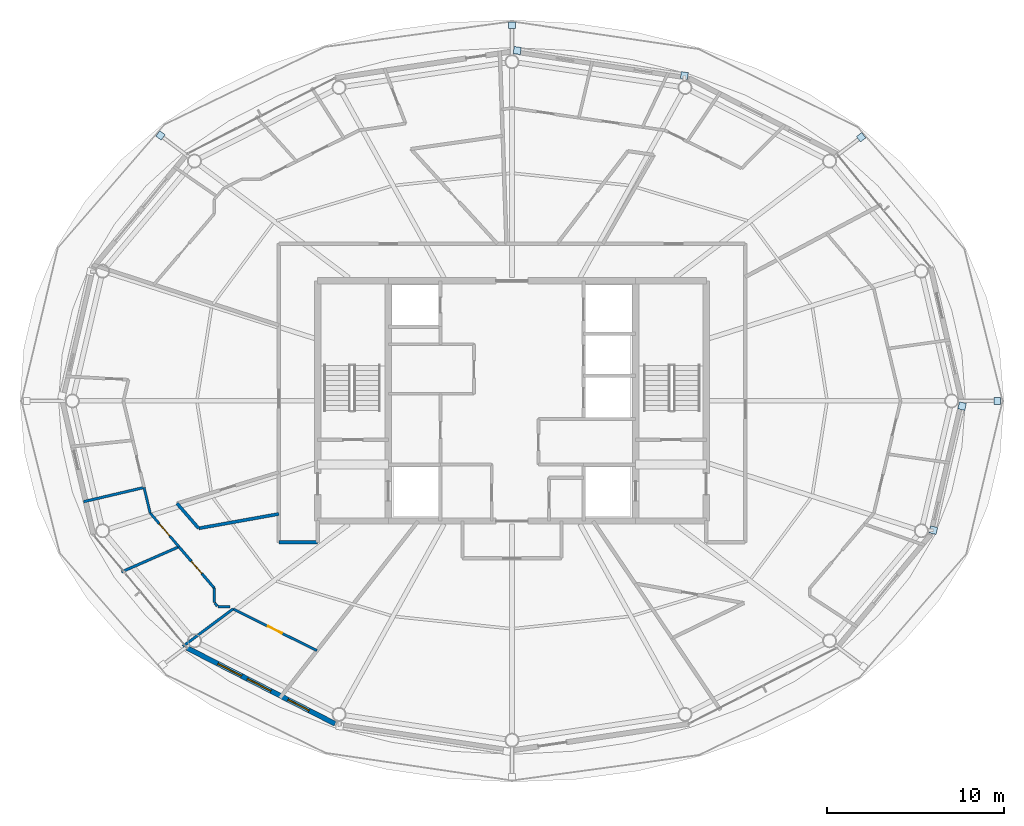
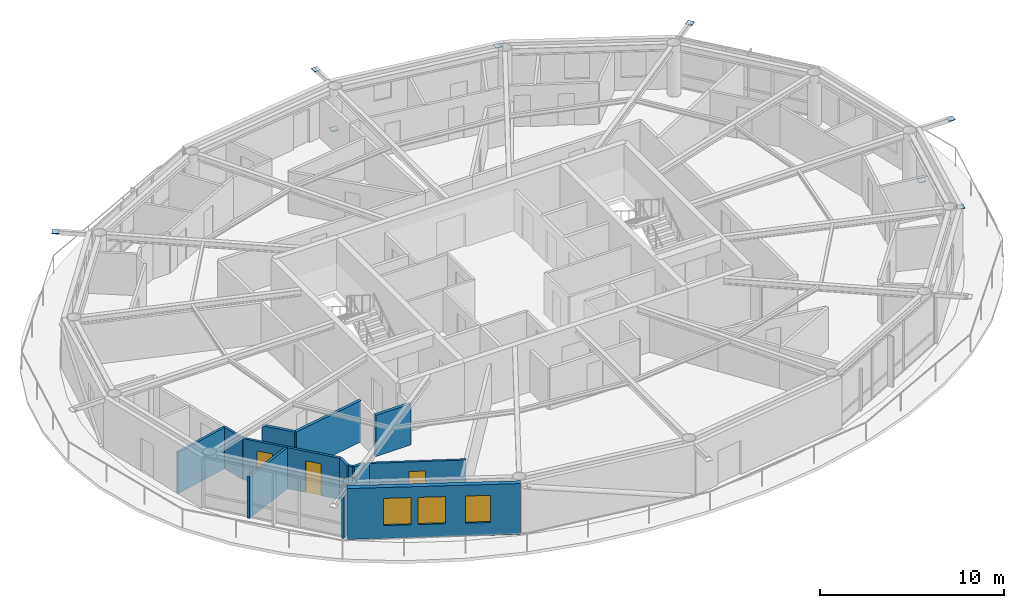
# One storey, part 15 of 22: 14 walls, 8 plates, 3 doors, 3 windows, 6 openings.
"""IFC4 building model written with IfcOpenShell, lengths in metres."""

from ifc_helpers import new_model, si_unit, direction, frame, frame_2d, origin, origin_2d, place, context, subcontext, project, spatial, rectangle, extrude, material, layer, layer_set, type_object, element, fill, save


model = new_model("IFC4")

# Units and contexts
model_context = context("Model", 3, precision=1e-05, world=origin(), true_north=direction((0.0, 1.0)))
body_context = subcontext(model_context, "Body", "Model", "MODEL_VIEW")
ifc_project = project(units=[si_unit("LENGTHUNIT", "METRE"), si_unit("AREAUNIT", "SQUARE_METRE"), si_unit("VOLUMEUNIT", "CUBIC_METRE"), si_unit("PLANEANGLEUNIT", "RADIAN"), si_unit("MASSUNIT", "GRAM", prefix="KILO")], contexts=[model_context])

# Site, building, storey
site_placement = place(None, origin())
site = spatial("IfcSite", under=ifc_project, at=site_placement, CompositionType="ELEMENT")
building_placement = place(site_placement, origin())
building = spatial("IfcBuilding", under=site, at=building_placement, Name="Sarneth Arch Tower", CompositionType="ELEMENT")
storey_placement = place(building_placement, frame((0.0, 0.0, 283.800048828125)))
storey = spatial("IfcBuildingStorey", under=building, at=storey_placement, Name="L73", CompositionType="ELEMENT", Elevation=283.800048828125)

# Plates
ifc_material_1 = material(Name="Steel S355", Category="steel")
ifc_layer_1 = layer(ifc_material_1, 0.035888671875)
ifc_layer_set_1 = layer_set([ifc_layer_1], Name="Steel S355")
plate_type = type_object("IfcPlateType", Name="PLT-GUSSET-30", PredefinedType="SHEET", material=ifc_layer_set_1)
for number, where, z_axis, x_axis, name in (
    (1, (75.4697265625, 42.0, 3.19189453125), (0.0, 0.0, 1.0), (1.0, 0.0, 0.0), "Steel end cap plate GP-1"),
    (2, (67.7626953125, 56.926513671875, 3.19189453125), (0.0, 0.0, 1.0), (0.798004853043, 0.602651022168, 0.0), "Steel end cap plate GP-1"),
):
    element("IfcPlate", number, at=place(storey_placement, frame(where, z_axis=z_axis, x_axis=x_axis)), inside=storey, type_object=plate_type, Name=name, PredefinedType="SHEET", context=body_context, shape_type="SweptSolid", body=[
        extrude(rectangle(XDim=0.3798828125, YDim=0.3798828125, at=origin_2d()), origin(), (0.0, 0.0, 1.0), 0.035888671875),
    ])
for number, where, z_axis, x_axis, name in (
    (3, (48.296630859375, 61.83544921875, 0.001953125), (0.0, 0.0, 1.0), (-0.988860535448, 0.148845024885, 0.0), "Steel end cap plate GP-1"),
    (4, (57.754150390625, 60.411376953125, 3.07421875), (0.0, 0.0, 1.0), (-0.988860535448, 0.148845024885, 0.0), "Steel end cap plate GP-1"),
):
    element("IfcPlate", number, at=place(storey_placement, frame(where, z_axis=z_axis, x_axis=x_axis)), inside=storey, type_object=plate_type, Name=name, PredefinedType="SHEET", context=body_context, shape_type="SweptSolid", body=[
        extrude(rectangle(XDim=0.404052734375, YDim=0.404052734375, at=origin_2d()), origin(), (0.0, 0.0, 1.0), 0.035888671875),
    ])
for number, where, z_axis, x_axis, name in (
    (5, (48.0, 63.263427734375, 3.19189453125), (0.0, 0.0, 1.0), (0.0, 1.0, 0.0), "Steel end cap plate GP-1"),
    (6, (28.101806640625, 57.029052734375, 3.19189453125), (0.0, 0.0, 1.0), (-0.798004853043, 0.602651022168, 0.0), "Steel end cap plate GP-1"),
):
    element("IfcPlate", number, at=place(storey_placement, frame(where, z_axis=z_axis, x_axis=x_axis)), inside=storey, type_object=plate_type, Name=name, PredefinedType="SHEET", context=body_context, shape_type="SweptSolid", body=[
        extrude(rectangle(XDim=0.3798828125, YDim=0.3798828125, at=origin_2d()), origin(), (0.0, 0.0, 1.0), 0.035888671875),
    ])
for number, where, z_axis, x_axis, name in (
    (7, (73.4765625, 41.707763671875, 0.001953125), (0.0, 0.0, 1.0), (0.225461202458, 0.974252147129, 0.0), "Steel end cap plate GP-1"),
    (8, (71.851806640625, 34.6845703125, 3.07421875), (0.0, 0.0, 1.0), (0.225461202458, 0.974252147129, 0.0), "Steel end cap plate GP-1"),
):
    element("IfcPlate", number, at=place(storey_placement, frame(where, z_axis=z_axis, x_axis=x_axis)), inside=storey, type_object=plate_type, Name=name, PredefinedType="SHEET", context=body_context, shape_type="SweptSolid", body=[
        extrude(rectangle(XDim=0.404052734375, YDim=0.404052734375, at=origin_2d()), origin(), (0.0, 0.0, 1.0), 0.035888671875),
    ])

# Wall
ifc_material_2 = material(Name="Double steel-stud corridor fire wall", Category="steel")
ifc_layer_2 = layer(ifc_material_2, 0.18994140625)
ifc_layer_set_2 = layer_set([ifc_layer_2], Name="Double steel-stud corridor fire wall")
wall_type_1 = type_object("IfcWallType", Name="WALL-CORR-190", PredefinedType="PARTITIONING", material=ifc_layer_set_2)
wall_1_placement = place(storey_placement, frame((37.0, 34.0, 0.0), z_axis=(0.0, 0.0, 1.0), x_axis=(-1.0, 0.0, 0.0)))
element("IfcWall", 9, at=wall_1_placement, inside=storey, type_object=wall_type_1, Name="L73 Interior partition W-L73-TP-009", PredefinedType="PARTITIONING", context=body_context, shape_type="SweptSolid", body=[
    extrude(rectangle(XDim=2.199951171875, YDim=0.18994140625, at=frame_2d((1.10009765625, 0.0))), origin(), (0.0, 0.0, 1.0), 2.72998046875),
])

# Wall, openings, windows
ifc_material_3 = material(Name="Extruded terracotta rainscreen on Concrete C40/50 backing", Category="masonry")
ifc_layer_3 = layer(ifc_material_3, 0.280029296875)
ifc_layer_set_3 = layer_set([ifc_layer_3], Name="Extruded terracotta rainscreen on Concrete C40/50 backing")
wall_type_2 = type_object("IfcWallType", Name="WALL-EXT-TERRA-280", PredefinedType="SOLIDWALL", material=ifc_layer_set_3)
wall_2_placement = place(storey_placement, frame((29.617431640625, 28.013427734375, 0.0), z_axis=(0.0, 0.0, 1.0), x_axis=(0.890007394051, -0.455946091699, 0.0)))
wall_2 = element("IfcWall", 10, at=wall_2_placement, inside=storey, type_object=wall_type_2, Name="L73 Terracotta perimeter wall 11", PredefinedType="SOLIDWALL", context=body_context, shape_type="SweptSolid", body=[
    extrude(rectangle(XDim=9.404296875, YDim=0.280029296875, at=frame_2d((4.7021484375, 0.0))), origin(), (0.0, 0.0, 1.0), 3.369873046875),
])
opening_1_placement = place(wall_2_placement, frame((1.95361328125, 0.0, 0.85009765625)))
opening_1 = element("IfcOpeningElement", 11, at=opening_1_placement, cuts=wall_2, Name="Opening W-07", PredefinedType="OPENING", context=body_context, shape_type="SweptSolid", body=[
    extrude(rectangle(XDim=1.5, YDim=1.800048828125, at=frame_2d((0.75, 0.89990234375))), frame((0.0, 0.14990234375, 0.0), z_axis=(0.0, -1.0, 0.0), x_axis=(1.0, 0.0, 0.0)), (0.0, 0.0, 1.0), 0.300048828125),
])
opening_2_placement = place(wall_2_placement, frame((3.831298828125, 0.0, 0.85009765625)))
opening_2 = element("IfcOpeningElement", 12, at=opening_2_placement, cuts=wall_2, Name="Opening W-07", PredefinedType="OPENING", context=body_context, shape_type="SweptSolid", body=[
    extrude(rectangle(XDim=1.5, YDim=1.800048828125, at=frame_2d((0.75, 0.89990234375))), frame((0.0, 0.14990234375, 0.0), z_axis=(0.0, -1.0, 0.0), x_axis=(1.0, 0.0, 0.0)), (0.0, 0.0, 1.0), 0.300048828125),
])
opening_3_placement = place(wall_2_placement, frame((6.408203125, 0.0, 0.85009765625)))
opening_3 = element("IfcOpeningElement", 13, at=opening_3_placement, cuts=wall_2, Name="Opening W-08", PredefinedType="OPENING", context=body_context, shape_type="SweptSolid", body=[
    extrude(rectangle(XDim=1.35009765625, YDim=1.800048828125, at=frame_2d((0.675048828125, 0.89990234375))), frame((0.0, 0.14990234375, 0.0), z_axis=(0.0, -1.0, 0.0), x_axis=(1.0, 0.0, 0.0)), (0.0, 0.0, 1.0), 0.300048828125),
])
ifc_material_4 = material(Name="Thermally broken Aluminium 6063-T6 and low-e laminated IGU", Category="aluminium")
window_type_1 = type_object("IfcWindowType", Name="WIN-TWR-1350x1800", PartitioningType="SINGLE_PANEL", PredefinedType="WINDOW", material=ifc_material_4)
window_1_placement = place(opening_3_placement, origin())
window_1 = element("IfcWindow", 14, at=window_1_placement, inside=storey, type_object=window_type_1, Name="L73 Exterior window 11C", OverallHeight=1.800048828125, OverallWidth=1.35009765625, PartitioningType="SINGLE_PANEL", PredefinedType="WINDOW", context=body_context, shape_type="SweptSolid", body=[
    extrude(rectangle(XDim=1.35009765625, YDim=1.800048828125, at=frame_2d((0.675048828125, 0.89990234375))), frame((0.0, 0.030029296875, 0.0), z_axis=(0.0, -1.0, 0.0), x_axis=(1.0, 0.0, 0.0)), (0.0, 0.0, 1.0), 0.06005859375),
])
fill(opening_3, window_1)
ifc_material_5 = material(Name="Thermally broken Aluminium 6063-T6 and low-e laminated IGU", Category="aluminium")
window_type_2 = type_object("IfcWindowType", Name="WIN-TWR-1500x1800", PartitioningType="SINGLE_PANEL", PredefinedType="WINDOW", material=ifc_material_5)
window_2_placement = place(opening_1_placement, origin())
window_2 = element("IfcWindow", 15, at=window_2_placement, inside=storey, type_object=window_type_2, Name="L73 Exterior window 11A", OverallHeight=1.800048828125, OverallWidth=1.5, PartitioningType="SINGLE_PANEL", PredefinedType="WINDOW", context=body_context, shape_type="SweptSolid", body=[
    extrude(rectangle(XDim=1.5, YDim=1.800048828125, at=frame_2d((0.75, 0.89990234375))), frame((0.0, 0.030029296875, 0.0), z_axis=(0.0, -1.0, 0.0), x_axis=(1.0, 0.0, 0.0)), (0.0, 0.0, 1.0), 0.06005859375),
])
fill(opening_1, window_2)
window_3_placement = place(opening_2_placement, origin())
window_3 = element("IfcWindow", 16, at=window_3_placement, inside=storey, type_object=window_type_2, Name="L73 Exterior window 11B", OverallHeight=1.800048828125, OverallWidth=1.5, PartitioningType="SINGLE_PANEL", PredefinedType="WINDOW", context=body_context, shape_type="SweptSolid", body=[
    extrude(rectangle(XDim=1.5, YDim=1.800048828125, at=frame_2d((0.75, 0.89990234375))), frame((0.0, 0.030029296875, 0.0), z_axis=(0.0, -1.0, 0.0), x_axis=(1.0, 0.0, 0.0)), (0.0, 0.0, 1.0), 0.06005859375),
])
fill(opening_2, window_3)

# Wall, opening, door
ifc_material_6 = material(Name="Apartment internal stud partition", Category="gypsum")
ifc_layer_4 = layer(ifc_material_6, 0.139892578125)
ifc_layer_set_4 = layer_set([ifc_layer_4], Name="Apartment internal stud partition")
wall_type_3 = type_object("IfcWallType", Name="WALL-PART-140", PredefinedType="PARTITIONING", material=ifc_layer_set_4)
wall_3_placement = place(storey_placement, frame((32.212158203125, 30.2255859375, 0.0), z_axis=(0.0, 0.0, 1.0), x_axis=(0.895575883974, -0.444908795197, 0.0)))
wall_3 = element("IfcWall", 17, at=wall_3_placement, inside=storey, type_object=wall_type_3, Name="L73 Interior partition W-L73-TP-068", PredefinedType="PARTITIONING", context=body_context, shape_type="SweptSolid", body=[
    extrude(rectangle(XDim=5.2998046875, YDim=0.139892578125, at=frame_2d((2.64990234375, 0.0))), origin(), (0.0, 0.0, 1.0), 2.72998046875),
])
opening_4_placement = place(wall_3_placement, frame((2.199951171875, 0.0, 0.0)))
opening_4 = element("IfcOpeningElement", 18, at=opening_4_placement, cuts=wall_3, Name="Opening ID-01", PredefinedType="OPENING", context=body_context, shape_type="SweptSolid", body=[
    extrude(rectangle(XDim=0.89990234375, YDim=2.10009765625, at=frame_2d((0.449951171875, 1.050048828125))), frame((0.0, 0.079833984375, 0.0), z_axis=(0.0, -1.0, 0.0), x_axis=(1.0, 0.0, 0.0)), (0.0, 0.0, 1.0), 0.159912109375),
])
ifc_material_7 = material(Name="Engineered hardwood flush door", Category="wood")
door_type = type_object("IfcDoorType", Name="DR-INT-900", OperationType="SINGLE_SWING_LEFT", PredefinedType="DOOR", material=ifc_material_7)
door_1_placement = place(opening_4_placement, origin())
door_1 = element("IfcDoor", 19, at=door_1_placement, inside=storey, type_object=door_type, Name="L73 Interior door DR-L73-U3-BED3", OperationType="SINGLE_SWING_RIGHT", OverallHeight=2.10009765625, OverallWidth=0.89990234375, PredefinedType="DOOR", context=body_context, shape_type="SweptSolid", body=[
    extrude(rectangle(XDim=0.89990234375, YDim=2.10009765625, at=frame_2d((0.449951171875, 1.050048828125))), frame((0.0, 0.02490234375, 0.0), z_axis=(0.0, -1.0, 0.0), x_axis=(1.0, 0.0, 0.0)), (0.0, 0.0, 1.0), 0.050048828125),
])
fill(opening_4, door_1)

wall_4_placement = place(storey_placement, frame((27.51904296875, 35.655029296875, 0.0), z_axis=(0.0, 0.0, 1.0), x_axis=(0.649219833228, -0.760600820499, 0.0)))
wall_4 = element("IfcWall", 20, at=wall_4_placement, inside=storey, type_object=wall_type_3, Name="L73 Interior partition W-L73-TP-063", PredefinedType="PARTITIONING", context=body_context, shape_type="SweptSolid", body=[
    extrude(rectangle(XDim=2.509765625, YDim=0.139892578125, at=frame_2d((1.2548828125, 0.0))), origin(), (0.0, 0.0, 1.0), 2.72998046875),
])
opening_5_placement = place(wall_4_placement, frame((0.804931640625, 0.0, 0.0)))
opening_5 = element("IfcOpeningElement", 21, at=opening_5_placement, cuts=wall_4, Name="Opening ID-01", PredefinedType="OPENING", context=body_context, shape_type="SweptSolid", body=[
    extrude(rectangle(XDim=0.89990234375, YDim=2.10009765625, at=frame_2d((0.449951171875, 1.050048828125))), frame((0.0, 0.079833984375, 0.0), z_axis=(0.0, -1.0, 0.0), x_axis=(1.0, 0.0, 0.0)), (0.0, 0.0, 1.0), 0.159912109375),
])
door_2_placement = place(opening_5_placement, origin())
door_2 = element("IfcDoor", 22, at=door_2_placement, inside=storey, type_object=door_type, Name="L73 Interior door DR-L73-U3-BED1", OperationType="SINGLE_SWING_RIGHT", OverallHeight=2.10009765625, OverallWidth=0.89990234375, PredefinedType="DOOR", context=body_context, shape_type="SweptSolid", body=[
    extrude(rectangle(XDim=0.89990234375, YDim=2.10009765625, at=frame_2d((0.449951171875, 1.050048828125))), frame((0.0, 0.02490234375, 0.0), z_axis=(0.0, -1.0, 0.0), x_axis=(1.0, 0.0, 0.0)), (0.0, 0.0, 1.0), 0.050048828125),
])
fill(opening_5, door_2)

# Walls
wall_5_placement = place(storey_placement, frame((27.173583984375, 37.10205078125, 0.0), z_axis=(0.0, 0.0, 1.0), x_axis=(0.232212116671, -0.972665169969, 0.0)))
element("IfcWall", 23, at=wall_5_placement, inside=storey, type_object=wall_type_3, Name="L73 Interior partition W-L73-TP-062", PredefinedType="PARTITIONING", context=body_context, shape_type="SweptSolid", body=[
    extrude(rectangle(XDim=1.48779296875, YDim=0.139892578125, at=frame_2d((0.743896484375, 0.0))), origin(), (0.0, 0.0, 1.0), 2.72998046875),
])
ifc_material_8 = material(Name="Acoustic gypsum stud partition", Category="gypsum")
ifc_layer_5 = layer(ifc_material_8, 0.14990234375)
ifc_layer_set_5 = layer_set([ifc_layer_5], Name="Acoustic gypsum stud partition")
wall_type_4 = type_object("IfcWallType", Name="WALL-PART-150", PredefinedType="PARTITIONING", material=ifc_layer_set_5)
wall_6_placement = place(storey_placement, frame((29.1484375, 33.74609375, 0.0), z_axis=(0.0, 0.0, 1.0), x_axis=(-0.916054593567, -0.401053589442, 0.0)))
element("IfcWall", 24, at=wall_6_placement, inside=storey, type_object=wall_type_4, Name="L73 Interior partition W-L73-TP-072", PredefinedType="PARTITIONING", context=body_context, shape_type="SweptSolid", body=[
    extrude(rectangle(XDim=3.5458984375, YDim=0.14990234375, at=frame_2d((1.77294921875, 0.0))), origin(), (0.0, 0.0, 1.0), 2.72998046875),
])
wall_7_placement = place(storey_placement, frame((32.212158203125, 30.2255859375, 0.0), z_axis=(0.0, 0.0, 1.0), x_axis=(-0.801630280955, -0.597820117306, 0.0)))
element("IfcWall", 25, at=wall_7_placement, inside=storey, type_object=wall_type_4, Name="L73 Interior partition W-L73-TP-073", PredefinedType="PARTITIONING", context=body_context, shape_type="SweptSolid", body=[
    extrude(rectangle(XDim=3.53369140625, YDim=0.14990234375, at=frame_2d((1.766845703125, 0.0))), origin(), (0.0, 0.0, 1.0), 2.72998046875),
])
wall_8_placement = place(storey_placement, frame((27.173583984375, 37.10205078125, 0.0), z_axis=(0.0, 0.0, 1.0), x_axis=(-0.973445389286, -0.228919361518, 0.0)))
element("IfcWall", 26, at=wall_8_placement, inside=storey, type_object=wall_type_4, Name="L73 Interior partition W-L73-TP-071", PredefinedType="PARTITIONING", context=body_context, shape_type="SweptSolid", body=[
    extrude(rectangle(XDim=3.51611328125, YDim=0.14990234375, at=frame_2d((1.758056640625, 0.0))), origin(), (0.0, 0.0, 1.0), 2.72998046875),
])

# Wall, opening, door
wall_9_placement = place(storey_placement, frame((29.1484375, 33.74609375, 0.0), z_axis=(0.0, 0.0, 1.0), x_axis=(0.649198693287, -0.760618864238, 0.0)))
wall_9 = element("IfcWall", 27, at=wall_9_placement, inside=storey, type_object=wall_type_4, Name="L73 Interior partition W-L73-TP-064", PredefinedType="PARTITIONING", context=body_context, shape_type="SweptSolid", body=[
    extrude(rectangle(XDim=3.0830078125, YDim=0.14990234375, at=frame_2d((1.54150390625, 0.0))), origin(), (0.0, 0.0, 1.0), 2.72998046875),
])
opening_6_placement = place(wall_9_placement, frame((1.091552734375, 0.0, 0.0)))
opening_6 = element("IfcOpeningElement", 28, at=opening_6_placement, cuts=wall_9, Name="Opening ID-01", PredefinedType="OPENING", context=body_context, shape_type="SweptSolid", body=[
    extrude(rectangle(XDim=0.89990234375, YDim=2.10009765625, at=frame_2d((0.449951171875, 1.050048828125))), frame((0.0, 0.0849609375, 0.0), z_axis=(0.0, -1.0, 0.0), x_axis=(1.0, 0.0, 0.0)), (0.0, 0.0, 1.0), 0.169921875),
])
door_3_placement = place(opening_6_placement, origin())
door_3 = element("IfcDoor", 29, at=door_3_placement, inside=storey, type_object=door_type, Name="L73 Interior door DR-L73-U3-BED2", OperationType="SINGLE_SWING_RIGHT", OverallHeight=2.10009765625, OverallWidth=0.89990234375, PredefinedType="DOOR", context=body_context, shape_type="SweptSolid", body=[
    extrude(rectangle(XDim=0.89990234375, YDim=2.10009765625, at=frame_2d((0.449951171875, 1.050048828125))), frame((0.0, 0.02490234375, 0.0), z_axis=(0.0, -1.0, 0.0), x_axis=(1.0, 0.0, 0.0)), (0.0, 0.0, 1.0), 0.050048828125),
])
fill(opening_6, door_3)

# Walls
wall_10_placement = place(storey_placement, frame((31.14990234375, 31.401123046875, 0.0), z_axis=(0.0, 0.0, 1.0), x_axis=(0.0, -1.0, 0.0)))
element("IfcWall", 30, at=wall_10_placement, inside=storey, type_object=wall_type_4, Name="L73 Interior partition W-L73-TP-065", PredefinedType="PARTITIONING", context=body_context, shape_type="SweptSolid", body=[
    extrude(rectangle(XDim=0.8115234375, YDim=0.14990234375, at=frame_2d((0.40576171875, 0.0))), origin(), (0.0, 0.0, 1.0), 2.72998046875),
])
wall_11_placement = place(storey_placement, frame((31.3544921875, 30.35009765625, 0.0), z_axis=(0.0, 0.0, 1.0), x_axis=(1.0, 0.0, 0.0)))
element("IfcWall", 31, at=wall_11_placement, inside=storey, type_object=wall_type_4, Name="L73 Interior partition W-L73-TP-067", PredefinedType="PARTITIONING", context=body_context, shape_type="SweptSolid", body=[
    extrude(rectangle(XDim=0.692626953125, YDim=0.14990234375, at=frame_2d((0.34619140625, 0.0))), origin(), (0.0, 0.0, 1.0), 2.72998046875),
])
wall_12_placement = place(storey_placement, frame((31.17333984375, 30.562255859375, 0.0), z_axis=(0.0, 0.0, 1.0), x_axis=(0.648874632887, -0.760895334981, 0.0)))
element("IfcWall", 32, at=wall_12_placement, inside=storey, type_object=wall_type_4, Name="L73 Interior partition W-L73-TP-066", PredefinedType="PARTITIONING", context=body_context, shape_type="SweptSolid", body=[
    extrude(rectangle(XDim=0.23095703125, YDim=0.14990234375, at=frame_2d((0.115478515625, 0.0))), origin(), (0.0, 0.0, 1.0), 2.72998046875),
])
ifc_material_9 = material(Name="Moisture-resistant plumbing chase wall", Category="gypsum")
ifc_layer_6 = layer(ifc_material_9, 0.179931640625)
ifc_layer_set_6 = layer_set([ifc_layer_6], Name="Moisture-resistant plumbing chase wall")
wall_type_5 = type_object("IfcWallType", Name="WALL-PLUMB-180", PredefinedType="PLUMBINGWALL", material=ifc_layer_set_6)
wall_13_placement = place(storey_placement, frame((30.265380859375, 34.788818359375, 0.0), z_axis=(0.0, 0.0, 1.0), x_axis=(0.984250881723, 0.176777266148, 0.0)))
element("IfcWall", 33, at=wall_13_placement, inside=storey, type_object=wall_type_5, Name="L73 Interior partition W-L73-TP-061", PredefinedType="PLUMBINGWALL", context=body_context, shape_type="SweptSolid", body=[
    extrude(rectangle(XDim=4.607177734375, YDim=0.179931640625, at=frame_2d((2.3037109375, 0.0))), origin(), (0.0, 0.0, 1.0), 2.72998046875),
])
wall_14_placement = place(storey_placement, frame((29.035888671875, 36.2021484375, 0.0), z_axis=(0.0, 0.0, 1.0), x_axis=(0.656333580006, -0.754470828963, 0.0)))
element("IfcWall", 34, at=wall_14_placement, inside=storey, type_object=wall_type_5, Name="L73 Interior partition W-L73-TP-060", PredefinedType="PLUMBINGWALL", context=body_context, shape_type="SweptSolid", body=[
    extrude(rectangle(XDim=1.873291015625, YDim=0.179931640625, at=frame_2d((0.9365234375, 0.0))), origin(), (0.0, 0.0, 1.0), 2.72998046875),
])

save(model, "model.ifc")
